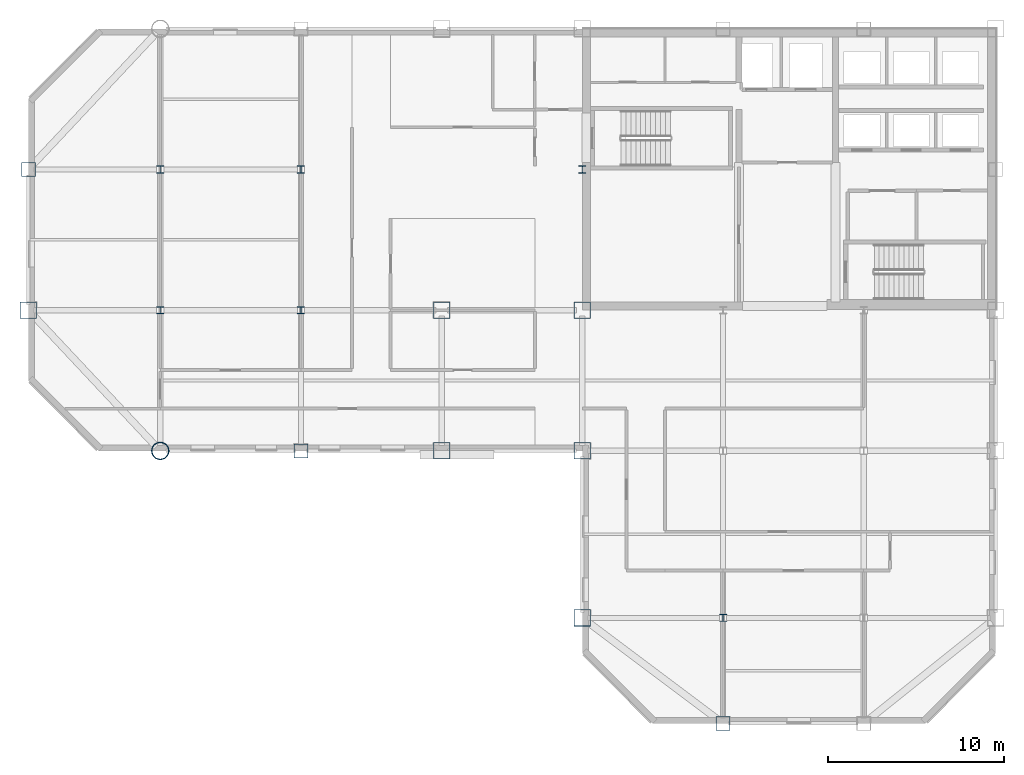
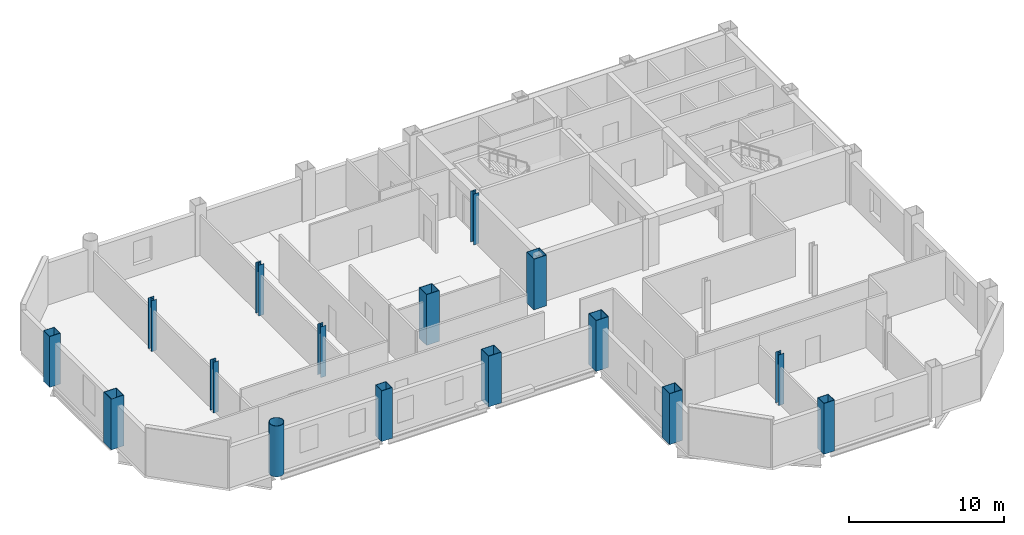
# One storey, part 1 of 10: 16 columns.
"""IFC4 building model written with IfcOpenShell, lengths in metres."""

from ifc_helpers import new_model, si_unit, direction, frame, origin, origin_2d, place, context, subcontext, project, spatial, hollow_rectangle, hollow_circle, i_section, extrude, material, material_profile, profile_set, type_object, element, save


model = new_model("IFC4")

# Units and contexts
model_context = context("Model", 3, precision=1e-05, world=origin(), true_north=direction((0.0, 1.0)))
body_context = subcontext(model_context, "Body", "Model", "MODEL_VIEW")
ifc_project = project(units=[si_unit("LENGTHUNIT", "METRE"), si_unit("AREAUNIT", "SQUARE_METRE"), si_unit("VOLUMEUNIT", "CUBIC_METRE"), si_unit("PLANEANGLEUNIT", "RADIAN"), si_unit("MASSUNIT", "GRAM", prefix="KILO")], contexts=[model_context])

# Site, building, storey
site_placement = place(None, origin())
site = spatial("IfcSite", under=ifc_project, at=site_placement, CompositionType="ELEMENT")
building_placement = place(site_placement, origin())
building = spatial("IfcBuilding", under=site, at=building_placement, Name="Qianrong Seaharbour Tower", CompositionType="ELEMENT")
storey_placement = place(building_placement, frame((0.0, 0.0, 217.800048828125)))
storey = spatial("IfcBuildingStorey", under=building, at=storey_placement, Name="L52", CompositionType="ELEMENT", Elevation=217.800048828125)

# Columns
ifc_material = material(Name="Structural steel SN490B", Category="steel")
ifc_material_profile_1 = material_profile(ifc_material, hollow_rectangle(XDim=0.949951171875, YDim=0.949951171875, WallThickness=0.035888671875, at=origin_2d()), Name="BOX950x950x36")
ifc_profile_set_1 = profile_set([ifc_material_profile_1], Name="Structural steel SN490B")
column_type_1 = type_object("IfcColumnType", Name="COL-CFT-950", PredefinedType="COLUMN", material=ifc_profile_set_1)
for number, where, z_axis, x_axis, name in (
    (1, (9.0, 36.0, 0.0), (0.0, 0.0, 1.0), (1.0, 0.0, 0.0), "L52 Column MC-4 at G2/GF"),
    (2, (32.5, 28.0, 0.0), (0.0, 0.0, 1.0), (1.0, 0.0, 0.0), "L52 Column MC-4 at G5/GE"),
    (3, (32.5, 36.0, 0.0), (0.0, 0.0, 1.0), (1.0, 0.0, 0.0), "L52 Column MC-4 at G5/GF"),
    (4, (40.5, 18.5, 0.0), (0.0, 0.0, 1.0), (1.0, 0.0, 0.0), "L52 Column MC-4 at G6/GD"),
    (5, (40.5, 28.0, 0.0), (0.0, 0.0, 1.0), (1.0, 0.0, 0.0), "L52 Column MC-4 at G6/GE"),
    (6, (40.5, 36.0, 0.0), (0.0, 0.0, 1.0), (1.0, 0.0, 0.0), "L52 Column MC-4 at G6/GF"),
):
    element("IfcColumn", number, at=place(storey_placement, frame(where, z_axis=z_axis, x_axis=x_axis)), inside=storey, type_object=column_type_1, Name=name, PredefinedType="COLUMN", context=body_context, shape_type="SweptSolid", body=[
        extrude(hollow_rectangle(XDim=0.949951171875, YDim=0.949951171875, WallThickness=0.035888671875, at=origin_2d()), origin(), (0.0, 0.0, 1.0), 4.0),
    ])
ifc_material_profile_2 = material_profile(ifc_material, hollow_circle(Radius=0.5, WallThickness=0.035888671875, at=origin_2d()), Name="CHS1000x36")
ifc_profile_set_2 = profile_set([ifc_material_profile_2], Name="Structural steel SN490B")
column_type_2 = type_object("IfcColumnType", Name="COL-CHS-1000", PredefinedType="COLUMN", material=ifc_profile_set_2)
column_placement = place(storey_placement, frame((16.5, 28.0, 0.0), z_axis=(0.0, 0.0, 1.0), x_axis=(1.0, 0.0, 0.0)))
element("IfcColumn", 7, at=column_placement, inside=storey, type_object=column_type_2, Name="L52 Column CC-2 at G3/GE", PredefinedType="COLUMN", context=body_context, shape_type="SweptSolid", body=[
    extrude(hollow_circle(Radius=0.5, WallThickness=0.035888671875, at=origin_2d()), origin(), (0.0, 0.0, 1.0), 4.0),
])
ifc_material_profile_3 = material_profile(ifc_material, i_section(OverallWidth=0.39990234375, OverallDepth=0.39990234375, WebThickness=0.012939453125, FlangeThickness=0.02099609375, FilletRadius=0.02197265625, at=origin_2d()), Name="H400x400x13x21")
ifc_profile_set_3 = profile_set([ifc_material_profile_3], Name="Structural steel SN490B")
column_type_3 = type_object("IfcColumnType", Name="COL-INT-H400", PredefinedType="COLUMN", material=ifc_profile_set_3)
for number, where, z_axis, x_axis, name in (
    (8, (16.5, 36.0, 0.0), (0.0, 0.0, 1.0), (1.0, 0.0, 0.0), "L52 Column IC-3 at G3/GF"),
    (9, (16.5, 44.0, 0.0), (0.0, 0.0, 1.0), (1.0, 0.0, 0.0), "L52 Column IC-3 at G3/GG"),
    (10, (24.5, 36.0, 0.0), (0.0, 0.0, 1.0), (1.0, 0.0, 0.0), "L52 Column IC-3 at G4/GF"),
    (11, (24.5, 44.0, 0.0), (0.0, 0.0, 1.0), (1.0, 0.0, 0.0), "L52 Column IC-3 at G4/GG"),
    (12, (40.5, 44.0, 0.0), (0.0, 0.0, 1.0), (1.0, 0.0, 0.0), "L52 Column IC-3 at G6/GG"),
    (13, (48.5, 18.5, 0.0), (0.0, 0.0, 1.0), (1.0, 0.0, 0.0), "L52 Column IC-3 at G7/GD"),
):
    element("IfcColumn", number, at=place(storey_placement, frame(where, z_axis=z_axis, x_axis=x_axis)), inside=storey, type_object=column_type_3, Name=name, PredefinedType="COLUMN", context=body_context, shape_type="SweptSolid", body=[
        extrude(i_section(OverallWidth=0.39990234375, OverallDepth=0.39990234375, WebThickness=0.012939453125, FlangeThickness=0.02099609375, FilletRadius=0.02197265625, at=origin_2d()), origin(), (0.0, 0.0, 1.0), 4.0),
    ])
ifc_material_profile_4 = material_profile(ifc_material, hollow_rectangle(XDim=0.800048828125, YDim=0.800048828125, WallThickness=0.031982421875, at=origin_2d()), Name="BOX800x800x32")
ifc_profile_set_4 = profile_set([ifc_material_profile_4], Name="Structural steel SN490B")
column_type_4 = type_object("IfcColumnType", Name="COL-PER-800", PredefinedType="COLUMN", material=ifc_profile_set_4)
for number, where, z_axis, x_axis, name in (
    (14, (9.0, 44.0, 0.0), (0.0, 0.0, 1.0), (1.0, 0.0, 0.0), "L52 Column PC-3 at G2/GG"),
    (15, (24.5, 28.0, 0.0), (0.0, 0.0, 1.0), (1.0, 0.0, 0.0), "L52 Column PC-3 at G4/GE"),
    (16, (48.5, 12.5, 0.0), (0.0, 0.0, 1.0), (1.0, 0.0, 0.0), "L52 Column PC-3 at G7/GC"),
):
    element("IfcColumn", number, at=place(storey_placement, frame(where, z_axis=z_axis, x_axis=x_axis)), inside=storey, type_object=column_type_4, Name=name, PredefinedType="COLUMN", context=body_context, shape_type="SweptSolid", body=[
        extrude(hollow_rectangle(XDim=0.800048828125, YDim=0.800048828125, WallThickness=0.031982421875, at=origin_2d()), origin(), (0.0, 0.0, 1.0), 4.0),
    ])

save(model, "model.ifc")
